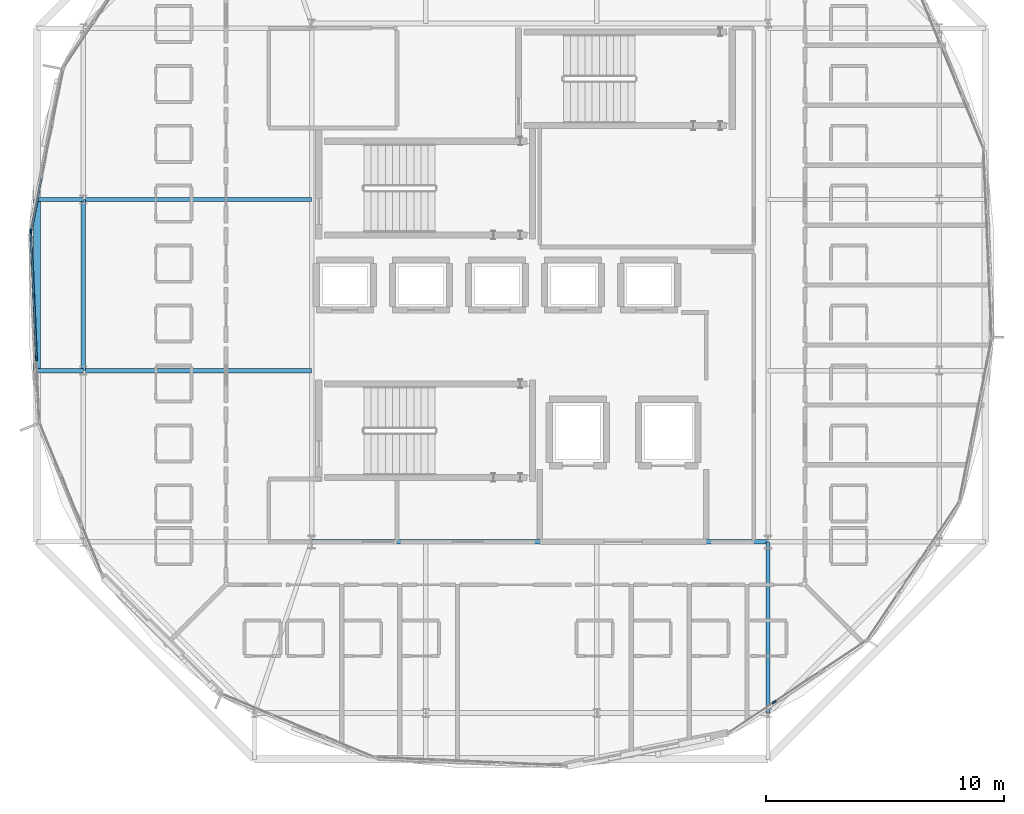
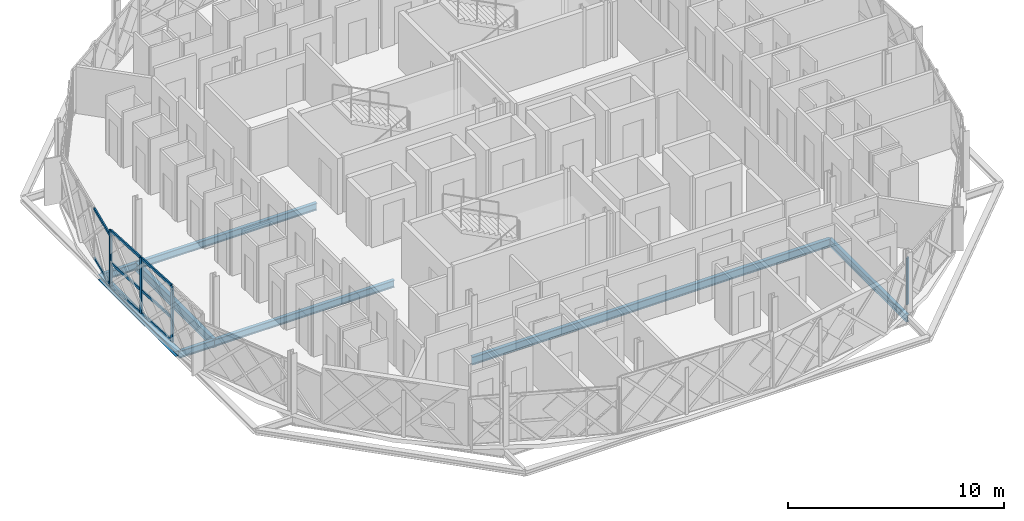
# One storey, part 5 of 24: 13 members, 8 beams, 3 elements without a shape of their own.
"""IFC4 building model written with IfcOpenShell, lengths in metres."""

import ifcopenshell
import ifcopenshell.guid

model = None  # the IFC model being written
_history = None  # IfcOwnerHistory: only IFC2X3 demands one
_inside = {}  # id of a spatial element -> (the spatial element, [elements in it])
_under = {}  # id of a project, library or spatial element -> (it, [spatial elements below it])
_declared = {}  # id of a project -> (the project, [libraries it declares])
_typed = {}  # id of a type object -> (the type object, [elements of that type])
_made_of = {}  # id of a material, layer set ... -> (it, [elements and type objects made of it])


def new_model(schema):
    """Start an empty IFC model of exactly this schema.

    Asked for "IFC4X3", IfcOpenShell would pick the latest addendum, in which some entities
    have other attributes; the version numbers below select the first issue.
    IFC2X3 requires an IfcOwnerHistory on every rooted entity: one is made here for all.
    """
    global model, _history
    if schema == "IFC4X3":
        model = ifcopenshell.file(schema_version=(4, 3, 0, 0))
    else:
        model = ifcopenshell.file(schema=schema)
    _inside.clear()
    _under.clear()
    _declared.clear()
    _typed.clear()
    _made_of.clear()
    _history = None
    if model.schema == "IFC2X3":
        org = make("IfcOrganization", Name="unknown")
        user = make(
            "IfcPersonAndOrganization",
            ThePerson=make("IfcPerson", FamilyName="unknown"),
            TheOrganization=org,
        )
        app = make(
            "IfcApplication",
            ApplicationDeveloper=org,
            Version="unknown",
            ApplicationFullName="unknown",
            ApplicationIdentifier="unknown",
        )
        _history = make(
            "IfcOwnerHistory",
            OwningUser=user,
            OwningApplication=app,
            ChangeAction="ADDED",
            CreationDate=0,
        )
    return model


def make(cls, **values):
    """One entity of the class cls with the attributes given. An attribute that is None is left unset."""
    return model.create_entity(
        cls, **{name: value for name, value in values.items() if value is not None}
    )


def rooted(cls, **values):
    """An entity with a GlobalId (a new one), such as an element, a storey or a relation."""
    return make(cls, GlobalId=ifcopenshell.guid.new(), OwnerHistory=_history, **values)


def si_unit(unit_type, name, prefix=None):
    """IfcSIUnit, for example si_unit("LENGTHUNIT", "METRE", prefix="MILLI")."""
    return make("IfcSIUnit", UnitType=unit_type, Prefix=prefix, Name=name)


def assignment(units):
    """IfcUnitAssignment: the units of a project."""
    return None if units is None else make("IfcUnitAssignment", Units=units)


def point(xyz):
    """IfcCartesianPoint."""
    return None if xyz is None else make("IfcCartesianPoint", Coordinates=xyz)


def direction(xyz):
    """IfcDirection."""
    return None if xyz is None else make("IfcDirection", DirectionRatios=xyz)


def frame(location, z_axis=None, x_axis=None):
    """IfcAxis2Placement3D, a coordinate frame: its origin and axes. An axis left out is left unset."""
    return make(
        "IfcAxis2Placement3D",
        Location=point(location),
        Axis=direction(z_axis),
        RefDirection=direction(x_axis),
    )


def frame_2d(location, x_axis=None):
    """IfcAxis2Placement2D, a coordinate frame in the plane: its origin and x axis."""
    return make(
        "IfcAxis2Placement2D", Location=point(location), RefDirection=direction(x_axis)
    )


def origin():
    """The frame at (0, 0, 0) with its axes left unset."""
    return frame((0.0, 0.0, 0.0))


def origin_2d():
    """The frame at (0, 0) in the plane with its x axis left unset."""
    return frame_2d((0.0, 0.0))


def place(relative_to, where):
    """IfcLocalPlacement: puts the frame where relative to a parent placement (None: the world)."""
    return make(
        "IfcLocalPlacement", PlacementRelTo=relative_to, RelativePlacement=where
    )


def context(
    kind, dimensions, precision=None, world=None, true_north=None, identifier=None
):
    """IfcGeometricRepresentationContext, for example the 3D "Model" context."""
    return make(
        "IfcGeometricRepresentationContext",
        ContextIdentifier=identifier,
        ContextType=kind,
        CoordinateSpaceDimension=dimensions,
        Precision=precision,
        WorldCoordinateSystem=world,
        TrueNorth=true_north,
    )


def subcontext(parent, identifier, kind, view, scale=None):
    """IfcGeometricRepresentationSubContext, for example "Body" below "Model"."""
    return make(
        "IfcGeometricRepresentationSubContext",
        ContextIdentifier=identifier,
        ContextType=kind,
        ParentContext=parent,
        TargetScale=scale,
        TargetView=view,
    )


def project(units=None, contexts=None):
    """IfcProject with its units and contexts."""
    return rooted(
        "IfcProject",
        Name="project",
        RepresentationContexts=contexts,
        UnitsInContext=assignment(units),
    )


def spatial(cls, under=None, at=None, **own):
    """A site, building, storey or space (cls), placed at a placement, below another one or the project."""
    s = rooted(cls, ObjectPlacement=at, **own)
    if under is not None:
        _under.setdefault(under.id(), (under, []))[1].append(s)
    return s


def profile(cls, at=None, kind="AREA", **sizes):
    """A parametric profile (cls). Its sizes go by their IFC names, for example OverallWidth=200.0."""
    return make(cls, ProfileType=kind, Position=at, **sizes)


def rectangle(**sizes):
    """IfcRectangleProfileDef."""
    return profile("IfcRectangleProfileDef", **sizes)


def i_section(**sizes):
    """IfcIShapeProfileDef."""
    return profile("IfcIShapeProfileDef", **sizes)


def extrude(swept, where, along, depth):
    """IfcExtrudedAreaSolid: the profile swept, set in the frame where, extruded along a direction by depth."""
    return make(
        "IfcExtrudedAreaSolid",
        SweptArea=swept,
        Position=where,
        ExtrudedDirection=direction(along),
        Depth=depth,
    )


def shape(context_of_items, identifier, shape_type, items):
    """IfcShapeRepresentation: the items that make up one representation, for example the "Body"."""
    return make(
        "IfcShapeRepresentation",
        ContextOfItems=context_of_items,
        RepresentationIdentifier=identifier,
        RepresentationType=shape_type,
        Items=items,
    )


def material(Name=None, Category=None):
    """IfcMaterial."""
    return make("IfcMaterial", Name=Name, Category=Category)


def layer(
    of_material, thickness, ventilated=None, Name=None, Category=None, Priority=None
):
    """IfcMaterialLayer: one layer of a wall or slab, of a material (None: an air gap)."""
    return make(
        "IfcMaterialLayer",
        Material=of_material,
        LayerThickness=thickness,
        IsVentilated=ventilated,
        Name=Name,
        Category=Category,
        Priority=Priority,
    )


def layer_set(layers, Name=None):
    """IfcMaterialLayerSet."""
    return make("IfcMaterialLayerSet", MaterialLayers=layers, LayerSetName=Name)


def material_profile(
    of_material, cross_section, Name=None, Category=None, Priority=None
):
    """IfcMaterialProfile: a cross section and its material."""
    return make(
        "IfcMaterialProfile",
        Name=Name,
        Material=of_material,
        Profile=cross_section,
        Priority=Priority,
        Category=Category,
    )


def profile_set(profiles, Name=None, composite=None):
    """IfcMaterialProfileSet."""
    return make(
        "IfcMaterialProfileSet",
        Name=Name,
        MaterialProfiles=profiles,
        CompositeProfile=composite,
    )


def made_of(thing, what):
    """Note that an element or type object is made of a material, layer set ...; save() writes the relation."""
    if what is not None:
        _made_of.setdefault(what.id(), (what, []))[1].append(thing)
    return thing


def type_object(cls, material=None, **own):
    """A type object (cls), such as IfcWallType, which elements share."""
    return made_of(rooted(cls, **own), material)


def element(
    cls,
    number,
    at=None,
    inside=None,
    cuts=None,
    type_object=None,
    material=None,
    context=None,
    identifier="Body",
    shape_type=None,
    held_by="IfcProductDefinitionShape",
    body=None,
    shapes=None,
    **own,
):
    """One element of the class cls, such as IfcWall. Its Tag is "e" and its number.

    at: its placement. inside: the storey or other place that contains it. cuts: it is an
    opening in that element (IfcRelVoidsElement). A single representation is given by context,
    identifier, shape_type and body (its items); several are given by shapes. held_by: the class
    of the entity that holds the representations. save() writes the other relations.
    """
    e = rooted(cls, Tag="e%d" % number, ObjectPlacement=at, **own)
    if body is not None:
        shapes = [shape(context, identifier, shape_type, body)]
    if shapes is not None:
        e.Representation = make(held_by, Representations=shapes)
    if inside is not None:
        _inside.setdefault(inside.id(), (inside, []))[1].append(e)
    if cuts is not None:
        rooted(
            "IfcRelVoidsElement", RelatingBuildingElement=cuts, RelatedOpeningElement=e
        )
    if type_object is not None:
        _typed.setdefault(type_object.id(), (type_object, []))[1].append(e)
    return made_of(e, material)


def aggregate(whole, parts):
    """IfcRelAggregates: a whole, such as a stair, and the parts it consists of."""
    return rooted("IfcRelAggregates", RelatingObject=whole, RelatedObjects=parts)


def save(model, path):
    """Write the relations noted so far, then the file.

    IfcRelAggregates (storeys below a building ...), IfcRelContainedInSpatialStructure (elements
    in a storey), IfcRelDefinesByType, IfcRelAssociatesMaterial and IfcRelDeclares: one each for
    every whole, place, type object, material and project.
    """
    for whole, parts in _under.values():
        aggregate(whole, parts)
    for where, things in _inside.values():
        rooted(
            "IfcRelContainedInSpatialStructure",
            RelatedElements=things,
            RelatingStructure=where,
        )
    for kind, things in _typed.values():
        rooted("IfcRelDefinesByType", RelatedObjects=things, RelatingType=kind)
    for what, things in _made_of.values():
        rooted("IfcRelAssociatesMaterial", RelatedObjects=things, RelatingMaterial=what)
    for by, libraries in _declared.values():
        rooted("IfcRelDeclares", RelatingContext=by, RelatedDefinitions=libraries)
    model.write(path)


model = new_model("IFC4")

# Units and contexts
model_context = context("Model", 3, precision=1e-05, world=origin(), true_north=direction((0.0, 1.0)))
body_context = subcontext(model_context, "Body", "Model", "MODEL_VIEW")
ifc_project = project(units=[si_unit("LENGTHUNIT", "METRE"), si_unit("AREAUNIT", "SQUARE_METRE"), si_unit("VOLUMEUNIT", "CUBIC_METRE"), si_unit("PLANEANGLEUNIT", "RADIAN"), si_unit("MASSUNIT", "GRAM", prefix="KILO")], contexts=[model_context])

# Site, building, storey
site_placement = place(None, origin())
site = spatial("IfcSite", under=ifc_project, at=site_placement, CompositionType="ELEMENT")
building_placement = place(site_placement, origin())
building = spatial("IfcBuilding", under=site, at=building_placement, Name="Zevrakil Square Congress Hotel", CompositionType="ELEMENT")
storey_placement = place(building_placement, frame((0.0, 0.0, 35.10009765625)))
storey = spatial("IfcBuildingStorey", under=building, at=storey_placement, Name="L10", CompositionType="ELEMENT", Elevation=35.10009765625)

# Beams
ifc_material_1 = material(Name="Steel S355", Category="steel")
ifc_material_profile_1 = material_profile(ifc_material_1, i_section(OverallWidth=0.18994140625, OverallDepth=0.449951171875, WebThickness=0.009521484375, FlangeThickness=0.0146484375, FilletRadius=0.02099609375, at=origin_2d()), Name="IPE 450")
ifc_profile_set_1 = profile_set([ifc_material_profile_1], Name="Steel S355")
beam_type_1 = type_object("IfcBeamType", Name="BM-IPE450", PredefinedType="BEAM", material=ifc_profile_set_1)
beam_1_placement = place(storey_placement, frame((136.800048828125, 16.800048828125, -0.455078125), z_axis=(1.0, 0.0, 0.0), x_axis=(0.0, 1.0, 0.0)))
element("IfcBeam", 1, at=beam_1_placement, inside=storey, type_object=beam_type_1, Name="L10 drum core perimeter tie beam DCB-01", PredefinedType="BEAM", context=body_context, shape_type="SweptSolid", body=[
    extrude(i_section(OverallWidth=0.18994140625, OverallDepth=0.449951171875, WebThickness=0.009521484375, FlangeThickness=0.0146484375, FilletRadius=0.02099609375, at=origin_2d()), origin(), (0.0, 0.0, 1.0), 19.199951171875),
])
ifc_material_2 = material(Name="Steel S355", Category="steel")
ifc_material_profile_2 = material_profile(ifc_material_2, i_section(OverallWidth=0.199951171875, OverallDepth=0.5, WebThickness=0.01025390625, FlangeThickness=0.01611328125, FilletRadius=0.02099609375, at=origin_2d()), Name="IPE 500")
ifc_profile_set_2 = profile_set([ifc_material_profile_2], Name="Steel S355")
beam_type_2 = type_object("IfcBeamType", Name="BM-IPE500", PredefinedType="BEAM", material=ifc_profile_set_2)
beam_2_placement = place(storey_placement, frame((127.199951171875, 31.199951171875, -0.47998046875), z_axis=(0.0, -1.0, 0.0), x_axis=(1.0, 0.0, 0.0)))
element("IfcBeam", 2, at=beam_2_placement, inside=storey, type_object=beam_type_2, Name="L10 drum ring girder DRB-14", PredefinedType="BEAM", context=body_context, shape_type="SweptSolid", body=[
    extrude(i_section(OverallWidth=0.199951171875, OverallDepth=0.5, WebThickness=0.01025390625, FlangeThickness=0.01611328125, FilletRadius=0.02099609375, at=origin_2d()), origin(), (0.0, 0.0, 1.0), 7.199951171875),
])

# Curtain wall, members
ifc_material_3 = material(Name="Aluminium Anodised Bronze", Category="aluminium")
ifc_layer_1 = layer(ifc_material_3, 0.179931640625)
ifc_layer_set_1 = layer_set([ifc_layer_1], Name="Aluminium Anodised Bronze")
curtain_wall_type_1 = type_object("IfcCurtainWallType", Name="CW-L10-720", PredefinedType="USERDEFINED", material=ifc_layer_set_1)
curtain_wall_1_placement = place(storey_placement, origin())
curtain_wall_1 = element("IfcCurtainWall", 3, at=curtain_wall_1_placement, inside=storey, type_object=curtain_wall_type_1, Name="L10 diamond curtain wall CW-L10-0281", ObjectType="GLAZED CURTAIN WALL", PredefinedType="USERDEFINED")
ifc_material_4 = material(Name="Aluminium Anodised Bronze", Category="aluminium")
ifc_material_profile_3 = material_profile(ifc_material_4, rectangle(XDim=0.074951171875, YDim=0.14990234375, at=origin_2d()), Name="ALU 75x150")
ifc_profile_set_3 = profile_set([ifc_material_profile_3], Name="Aluminium Anodised Bronze")
member_type_1 = type_object("IfcMemberType", Name="CWM-ALU75x150", PredefinedType="USERDEFINED", material=ifc_profile_set_3)
member_1_placement = place(storey_placement, frame((125.44775390625, 32.10791015625, 0.02978515625), z_axis=(-0.195070495322, -0.98078922397, 0.0), x_axis=(0.98078922397, -0.195070495322, 0.0)))
member_1 = element("IfcMember", 4, at=member_1_placement, type_object=member_type_1, Name="CW-118 transom 3.1", ObjectType="TRANSOM", PredefinedType="USERDEFINED", context=body_context, shape_type="SweptSolid", body=[
    extrude(rectangle(XDim=0.074951171875, YDim=0.14990234375, at=origin_2d()), origin(), (0.0, 0.0, 1.0), 2.245361328125),
])
member_2_placement = place(storey_placement, frame((125.44775390625, 32.10791015625, 2.81982421875), z_axis=(-0.195070495322, -0.98078922397, 0.0), x_axis=(0.98078922397, -0.195070495322, 0.0)))
member_2 = element("IfcMember", 5, at=member_2_placement, type_object=member_type_1, Name="CW-118 transom 3.2", ObjectType="TRANSOM", PredefinedType="USERDEFINED", context=body_context, shape_type="SweptSolid", body=[
    extrude(rectangle(XDim=0.074951171875, YDim=0.14990234375, at=origin_2d()), origin(), (0.0, 0.0, 1.0), 2.245361328125),
])

ifc_material_5 = material(Name="Aluminium Anodised Bronze", Category="aluminium")
ifc_layer_2 = layer(ifc_material_5, 0.179931640625)
ifc_layer_set_2 = layer_set([ifc_layer_2], Name="Aluminium Anodised Bronze")
curtain_wall_type_2 = type_object("IfcCurtainWallType", Name="CW-L10-840", PredefinedType="USERDEFINED", material=ifc_layer_set_2)
curtain_wall_2_placement = place(storey_placement, origin())
curtain_wall_2 = element("IfcCurtainWall", 6, at=curtain_wall_2_placement, inside=storey, type_object=curtain_wall_type_2, Name="L10 diamond curtain wall CW-L10-0282", ObjectType="GLAZED CURTAIN WALL", PredefinedType="USERDEFINED")
member_3_placement = place(storey_placement, frame((125.00048828125, 29.787109375, 0.02978515625), z_axis=(0.043182430798, -0.999067203781, 0.0), x_axis=(0.999067203781, 0.043182430798, 0.0)))
member_3 = element("IfcMember", 7, at=member_3_placement, type_object=member_type_1, Name="CW-119 transom 1.1", ObjectType="TRANSOM", PredefinedType="USERDEFINED", context=body_context, shape_type="SweptSolid", body=[
    extrude(rectangle(XDim=0.074951171875, YDim=0.14990234375, at=origin_2d()), origin(), (0.0, 0.0, 1.0), 2.578125),
])
member_4_placement = place(storey_placement, frame((125.00048828125, 29.787109375, 1.3291015625), z_axis=(0.043182430798, -0.999067203781, 0.0), x_axis=(0.999067203781, 0.043182430798, 0.0)))
member_4 = element("IfcMember", 8, at=member_4_placement, type_object=member_type_1, Name="CW-119 transom 1.2", ObjectType="TRANSOM", PredefinedType="USERDEFINED", context=body_context, shape_type="SweptSolid", body=[
    extrude(rectangle(XDim=0.074951171875, YDim=0.14990234375, at=origin_2d()), origin(), (0.0, 0.0, 1.0), 2.578125),
])
member_5_placement = place(storey_placement, frame((125.00048828125, 29.787109375, 3.135009765625), z_axis=(0.043182430798, -0.999067203781, 0.0), x_axis=(0.999067203781, 0.043182430798, 0.0)))
member_5 = element("IfcMember", 9, at=member_5_placement, type_object=member_type_1, Name="CW-119 transom 1.3", ObjectType="TRANSOM", PredefinedType="USERDEFINED", context=body_context, shape_type="SweptSolid", body=[
    extrude(rectangle(XDim=0.074951171875, YDim=0.14990234375, at=origin_2d()), origin(), (0.0, 0.0, 1.0), 2.578125),
])
member_6_placement = place(storey_placement, frame((125.1142578125, 27.1513671875, 0.02978515625), z_axis=(0.043152868901, -0.999068481089, 0.0), x_axis=(0.999068481089, 0.043152868901, 0.0)))
member_6 = element("IfcMember", 10, at=member_6_placement, type_object=member_type_1, Name="CW-119 transom 2.1", ObjectType="TRANSOM", PredefinedType="USERDEFINED", context=body_context, shape_type="SweptSolid", body=[
    extrude(rectangle(XDim=0.074951171875, YDim=0.14990234375, at=origin_2d()), origin(), (0.0, 0.0, 1.0), 2.608154296875),
])
member_7_placement = place(storey_placement, frame((125.1142578125, 27.1513671875, 1.3291015625), z_axis=(0.043152868901, -0.999068481089, 0.0), x_axis=(0.999068481089, 0.043152868901, 0.0)))
member_7 = element("IfcMember", 11, at=member_7_placement, type_object=member_type_1, Name="CW-119 transom 2.2", ObjectType="TRANSOM", PredefinedType="USERDEFINED", context=body_context, shape_type="SweptSolid", body=[
    extrude(rectangle(XDim=0.074951171875, YDim=0.14990234375, at=origin_2d()), origin(), (0.0, 0.0, 1.0), 2.608154296875),
])
member_8_placement = place(storey_placement, frame((125.1142578125, 27.1513671875, 3.135009765625), z_axis=(0.043152868901, -0.999068481089, 0.0), x_axis=(0.999068481089, 0.043152868901, 0.0)))
member_8 = element("IfcMember", 12, at=member_8_placement, type_object=member_type_1, Name="CW-119 transom 2.3", ObjectType="TRANSOM", PredefinedType="USERDEFINED", context=body_context, shape_type="SweptSolid", body=[
    extrude(rectangle(XDim=0.074951171875, YDim=0.14990234375, at=origin_2d()), origin(), (0.0, 0.0, 1.0), 2.608154296875),
])

# Curtain wall, member
curtain_wall_3_placement = place(storey_placement, origin())
curtain_wall_3 = element("IfcCurtainWall", 13, at=curtain_wall_3_placement, inside=storey, type_object=curtain_wall_type_1, Name="L10 diamond curtain wall CW-L10-0271", ObjectType="GLAZED CURTAIN WALL", PredefinedType="USERDEFINED")
ifc_material_6 = material(Name="Aluminium Anodised Bronze", Category="aluminium")
ifc_material_profile_4 = material_profile(ifc_material_6, rectangle(XDim=0.074951171875, YDim=0.179931640625, at=origin_2d()), Name="ALU 75x180")
ifc_profile_set_4 = profile_set([ifc_material_profile_4], Name="Aluminium Anodised Bronze")
member_type_2 = type_object("IfcMemberType", Name="CWM-ALU75x180", PredefinedType="MULLION", material=ifc_profile_set_4)
member_9_placement = place(storey_placement, frame((156.259765625, 10.06201171875, 0.0), z_axis=(0.0, 0.0, 1.0), x_axis=(-0.555576098128, 0.831465693332, 0.0)))
member_9 = element("IfcMember", 14, at=member_9_placement, type_object=member_type_2, Name="CW-118 mullion 2", PredefinedType="MULLION", context=body_context, shape_type="SweptSolid", body=[
    extrude(rectangle(XDim=0.074951171875, YDim=0.179931640625, at=origin_2d()), origin(), (0.0, 0.0, 1.0), 2.64990234375),
])
aggregate(curtain_wall_3, [member_9])

# Member
member_10_placement = place(storey_placement, frame((125.00390625, 29.87646484375, 0.0), z_axis=(0.0, 0.0, 1.0), x_axis=(0.980786557708, -0.195083900459, 0.0)))
member_10 = element("IfcMember", 15, at=member_10_placement, type_object=member_type_2, Name="CW-118 mullion 4", PredefinedType="MULLION", context=body_context, shape_type="SweptSolid", body=[
    extrude(rectangle(XDim=0.074951171875, YDim=0.179931640625, at=origin_2d()), origin(), (0.0, 0.0, 1.0), 2.849853515625),
])

aggregate(curtain_wall_1, [member_10, member_1, member_2])

member_11_placement = place(storey_placement, frame((124.999267578125, 29.817138671875, 0.0), z_axis=(0.0, 0.0, 1.0), x_axis=(0.999070669923, 0.043102163504, 0.0)))
member_11 = element("IfcMember", 16, at=member_11_placement, type_object=member_type_2, Name="CW-119 mullion 1", PredefinedType="MULLION", context=body_context, shape_type="SweptSolid", body=[
    extrude(rectangle(XDim=0.074951171875, YDim=0.179931640625, at=origin_2d()), origin(), (0.0, 0.0, 1.0), 3.164794921875),
])

member_12_placement = place(storey_placement, frame((125.113037109375, 27.181396484375, 0.0), z_axis=(0.0, 0.0, 1.0), x_axis=(0.999070669923, 0.043102163504, 0.0)))
member_12 = element("IfcMember", 17, at=member_12_placement, type_object=member_type_2, Name="CW-119 mullion 2", PredefinedType="MULLION", context=body_context, shape_type="SweptSolid", body=[
    extrude(rectangle(XDim=0.074951171875, YDim=0.179931640625, at=origin_2d()), origin(), (0.0, 0.0, 1.0), 3.164794921875),
])

member_13_placement = place(storey_placement, frame((125.22802734375, 24.515869140625, 0.0), z_axis=(0.0, 0.0, 1.0), x_axis=(0.999070669923, 0.043102163504, 0.0)))
member_13 = element("IfcMember", 18, at=member_13_placement, type_object=member_type_2, Name="CW-119 mullion 3", PredefinedType="MULLION", context=body_context, shape_type="SweptSolid", body=[
    extrude(rectangle(XDim=0.074951171875, YDim=0.179931640625, at=origin_2d()), origin(), (0.0, 0.0, 1.0), 3.164794921875),
])

aggregate(curtain_wall_2, [member_11, member_12, member_13, member_3, member_4, member_5, member_6, member_7, member_8])

# Beams
ifc_material_7 = material(Name="Steel S355", Category="steel")
ifc_material_profile_5 = material_profile(ifc_material_7, i_section(OverallWidth=0.179931640625, OverallDepth=0.39990234375, WebThickness=0.008544921875, FlangeThickness=0.013427734375, FilletRadius=0.02099609375, at=origin_2d()), Name="IPE 400")
ifc_profile_set_5 = profile_set([ifc_material_profile_5], Name="Steel S355")
beam_type_3 = type_object("IfcBeamType", Name="JST-IPE400", PredefinedType="JOIST", material=ifc_profile_set_5)
beam_3_placement = place(storey_placement, frame((156.0, 16.800048828125, -0.43017578125), z_axis=(0.0, -1.0, 0.0), x_axis=(1.0, 0.0, 0.0)))
element("IfcBeam", 19, at=beam_3_placement, inside=storey, type_object=beam_type_3, Name="L10 drum radial floor beam DRI-04", PredefinedType="JOIST", context=body_context, shape_type="SweptSolid", body=[
    extrude(i_section(OverallWidth=0.179931640625, OverallDepth=0.39990234375, WebThickness=0.008544921875, FlangeThickness=0.013427734375, FilletRadius=0.02099609375, at=origin_2d()), origin(), (0.0, 0.0, 1.0), 7.199951171875),
])
beam_4_placement = place(storey_placement, frame((136.800048828125, 31.199951171875, -0.43017578125), z_axis=(-1.0, 0.0, 0.0), x_axis=(0.0, -1.0, 0.0)))
element("IfcBeam", 20, at=beam_4_placement, inside=storey, type_object=beam_type_3, Name="L10 drum radial floor beam DRI-14", PredefinedType="JOIST", context=body_context, shape_type="SweptSolid", body=[
    extrude(i_section(OverallWidth=0.179931640625, OverallDepth=0.39990234375, WebThickness=0.008544921875, FlangeThickness=0.013427734375, FilletRadius=0.02099609375, at=origin_2d()), origin(), (0.0, 0.0, 1.0), 9.60009765625),
])
beam_5_placement = place(storey_placement, frame((127.199951171875, 31.199951171875, -0.43017578125), z_axis=(-1.0, 0.0, 0.0), x_axis=(0.0, -1.0, 0.0)))
element("IfcBeam", 21, at=beam_5_placement, inside=storey, type_object=beam_type_3, Name="L10 drum radial edge cantilever beam DRO-14", PredefinedType="JOIST", context=body_context, shape_type="SweptSolid", body=[
    extrude(i_section(OverallWidth=0.179931640625, OverallDepth=0.39990234375, WebThickness=0.008544921875, FlangeThickness=0.013427734375, FilletRadius=0.02099609375, at=origin_2d()), origin(), (0.0, 0.0, 1.0), 1.94189453125),
])
beam_6_placement = place(storey_placement, frame((136.800048828125, 24.0, -0.43017578125), z_axis=(-1.0, 0.0, 0.0), x_axis=(0.0, -1.0, 0.0)))
element("IfcBeam", 22, at=beam_6_placement, inside=storey, type_object=beam_type_3, Name="L10 drum radial floor beam DRI-15", PredefinedType="JOIST", context=body_context, shape_type="SweptSolid", body=[
    extrude(i_section(OverallWidth=0.179931640625, OverallDepth=0.39990234375, WebThickness=0.008544921875, FlangeThickness=0.013427734375, FilletRadius=0.02099609375, at=origin_2d()), origin(), (0.0, 0.0, 1.0), 9.60009765625),
])
beam_7_placement = place(storey_placement, frame((127.199951171875, 24.0, -0.43017578125), z_axis=(-1.0, 0.0, 0.0), x_axis=(0.0, -1.0, 0.0)))
element("IfcBeam", 23, at=beam_7_placement, inside=storey, type_object=beam_type_3, Name="L10 drum radial edge cantilever beam DRO-15", PredefinedType="JOIST", context=body_context, shape_type="SweptSolid", body=[
    extrude(i_section(OverallWidth=0.179931640625, OverallDepth=0.39990234375, WebThickness=0.008544921875, FlangeThickness=0.013427734375, FilletRadius=0.02099609375, at=origin_2d()), origin(), (0.0, 0.0, 1.0), 1.94189453125),
])
ifc_material_8 = material(Name="Steel S355", Category="steel")
ifc_material_profile_6 = material_profile(ifc_material_8, i_section(OverallWidth=0.300048828125, OverallDepth=0.300048828125, WebThickness=0.010986328125, FlangeThickness=0.01904296875, FilletRadius=0.027099609375, at=origin_2d()), Name="HEB 300")
ifc_profile_set_6 = profile_set([ifc_material_profile_6], Name="Steel S355")
beam_type_4 = type_object("IfcBeamType", Name="SPD-RHS250", PredefinedType="SPANDREL", material=ifc_profile_set_6)
beam_8_placement = place(storey_placement, frame((125.258056640625, 31.199951171875, -0.380126953125), z_axis=(0.0, -1.0, 0.0), x_axis=(1.0, 0.0, 0.0)))
element("IfcBeam", 24, at=beam_8_placement, inside=storey, type_object=beam_type_4, Name="L10 drum edge spandrel beam DSP-13", PredefinedType="SPANDREL", context=body_context, shape_type="SweptSolid", body=[
    extrude(i_section(OverallWidth=0.300048828125, OverallDepth=0.300048828125, WebThickness=0.010986328125, FlangeThickness=0.01904296875, FilletRadius=0.027099609375, at=origin_2d()), origin(), (0.0, 0.0, 1.0), 7.199951171875),
])

save(model, "model.ifc")
